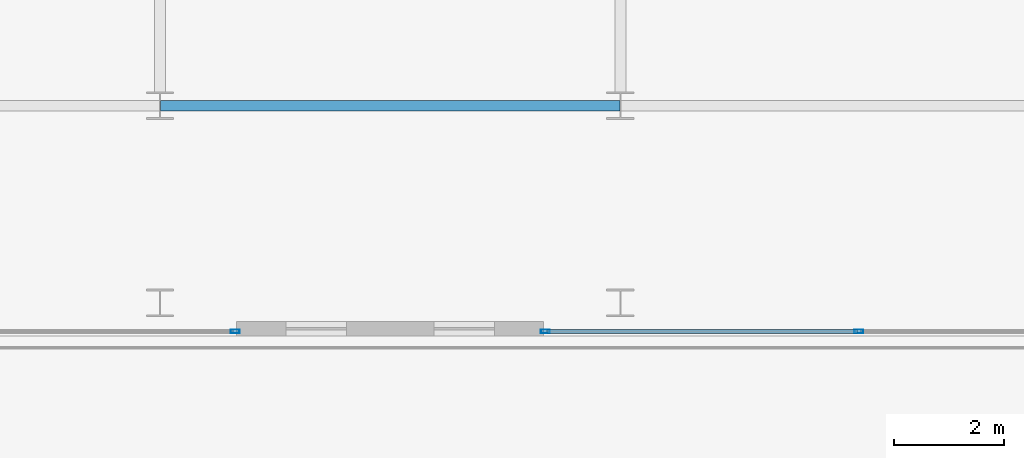
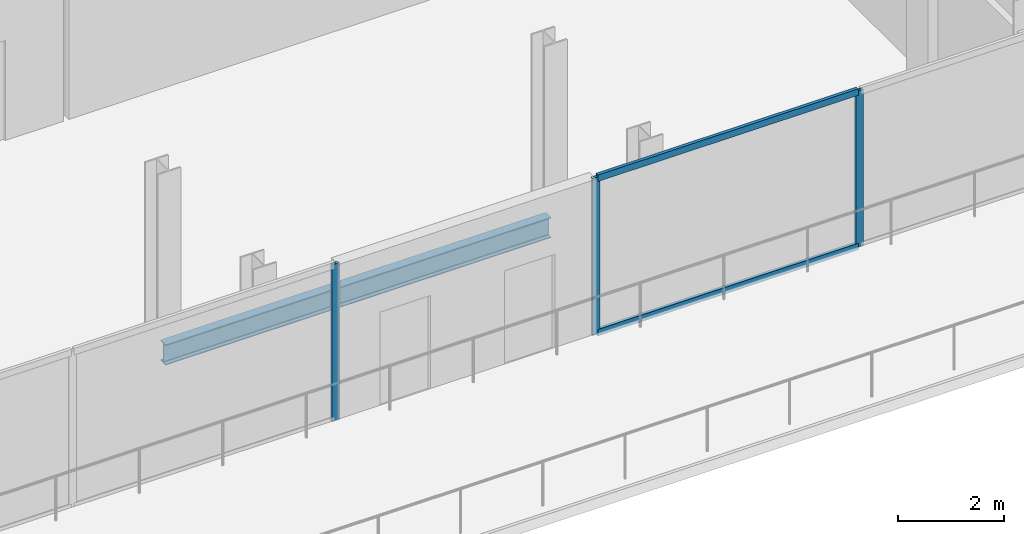
# One storey, part 5 of 21: 5 members, 1 beam, 2 elements without a shape of their own.
"""IFC4 building model written with IfcOpenShell, lengths in metres."""

from ifc_helpers import new_model, si_unit, direction, frame, origin, origin_2d, place, context, subcontext, project, spatial, hollow_rectangle, i_section, extrude, material, layer, layer_set, material_profile, profile_set, type_object, element, aggregate, save


model = new_model("IFC4")

# Units and contexts
model_context = context("Model", 3, precision=1e-05, world=origin(), true_north=direction((0.0, 1.0)))
body_context = subcontext(model_context, "Body", "Model", "MODEL_VIEW")
ifc_project = project(units=[si_unit("LENGTHUNIT", "METRE"), si_unit("AREAUNIT", "SQUARE_METRE"), si_unit("VOLUMEUNIT", "CUBIC_METRE"), si_unit("PLANEANGLEUNIT", "RADIAN"), si_unit("MASSUNIT", "GRAM", prefix="KILO")], contexts=[model_context])

# Site, building, storey
site_placement = place(None, origin())
site = spatial("IfcSite", under=ifc_project, at=site_placement, CompositionType="ELEMENT")
building_placement = place(site_placement, origin())
building = spatial("IfcBuilding", under=site, at=building_placement, Name="Maruvema Waterfront Hotel and Observation Tower", CompositionType="ELEMENT")
storey_placement = place(building_placement, frame((0.0, 0.0, 322.0)))
storey = spatial("IfcBuildingStorey", under=building, at=storey_placement, Name="L79", CompositionType="ELEMENT", Elevation=322.0)

# Curtain wall, members
ifc_material_1 = material(Name="Anodised bronze aluminium and solar-control low-E IGU", Category="aluminium")
ifc_layer = layer(ifc_material_1, 0.159912109375, Name="Zone 4 Sky Residence Inner Curtain Wall System CW-05")
ifc_layer_set = layer_set([ifc_layer], Name="Anodised bronze aluminium and solar-control low-E IGU")
curtain_wall_type = type_object("IfcCurtainWallType", Name="Zone 4 Sky Residence Inner Curtain Wall System CW-05", PredefinedType="USERDEFINED", material=ifc_layer_set)
curtain_wall_1_placement = place(storey_placement, origin())
curtain_wall_1 = element("IfcCurtainWall", 1, at=curtain_wall_1_placement, inside=storey, type_object=curtain_wall_type, Name="L79 Curtain Wall CW-L79-SE", ObjectType="UNITISED CURTAIN WALL", PredefinedType="USERDEFINED")
ifc_material_2 = material(Name="Anodised architectural bronze aluminium", Category="aluminium")
ifc_material_profile_1 = material_profile(ifc_material_2, hollow_rectangle(XDim=0.070068359375, YDim=0.14990234375, WallThickness=0.00390625, at=origin_2d()), Name="ALU-T70x150")
ifc_profile_set_1 = profile_set([ifc_material_profile_1], Name="Anodised architectural bronze aluminium")
member_type_1 = type_object("IfcMemberType", Name="Curtain Wall Horizontal Transom ALU-T70x150", PredefinedType="USERDEFINED", material=ifc_profile_set_1)
member_1_placement = place(storey_placement, frame((40.659912109375, 13.8798828125, 0.030029296875), z_axis=(1.0, 0.0, 0.0), x_axis=(0.0, 1.0, 0.0)))
member_1 = element("IfcMember", 2, at=member_1_placement, type_object=member_type_1, Name="CW-05 transom 1.1", ObjectType="TRANSOM", PredefinedType="USERDEFINED", context=body_context, shape_type="SweptSolid", body=[
    extrude(hollow_rectangle(XDim=0.070068359375, YDim=0.14990234375, WallThickness=0.00390625, at=origin_2d()), origin(), (0.0, 0.0, 1.0), 5.66015625),
])
member_2_placement = place(storey_placement, frame((40.659912109375, 13.8798828125, 3.580078125), z_axis=(1.0, 0.0, 0.0), x_axis=(0.0, 1.0, 0.0)))
member_2 = element("IfcMember", 3, at=member_2_placement, type_object=member_type_1, Name="CW-05 transom 1.2", ObjectType="TRANSOM", PredefinedType="USERDEFINED", context=body_context, shape_type="SweptSolid", body=[
    extrude(hollow_rectangle(XDim=0.070068359375, YDim=0.14990234375, WallThickness=0.00390625, at=origin_2d()), origin(), (0.0, 0.0, 1.0), 5.66015625),
])

# Curtain wall, member
curtain_wall_2_placement = place(storey_placement, origin())
curtain_wall_2 = element("IfcCurtainWall", 4, at=curtain_wall_2_placement, inside=storey, type_object=curtain_wall_type, Name="L79 Curtain Wall CW-L79-SW", ObjectType="UNITISED CURTAIN WALL", PredefinedType="USERDEFINED")
ifc_material_3 = material(Name="Anodised architectural bronze aluminium", Category="aluminium")
ifc_material_profile_2 = material_profile(ifc_material_3, hollow_rectangle(XDim=0.06494140625, YDim=0.1650390625, WallThickness=0.00390625, at=origin_2d()), Name="ALU-M65x165")
ifc_profile_set_2 = profile_set([ifc_material_profile_2], Name="Anodised architectural bronze aluminium")
member_type_2 = type_object("IfcMemberType", Name="Curtain Wall Primary Mullion ALU-M65x165", PredefinedType="MULLION", material=ifc_profile_set_2)
member_3_placement = place(storey_placement, frame((34.969970703125, 13.8798828125, 0.0), z_axis=(0.0, 0.0, 1.0), x_axis=(0.0, 1.0, 0.0)))
member_3 = element("IfcMember", 5, at=member_3_placement, type_object=member_type_2, Name="CW-05 mullion 3", PredefinedType="MULLION", context=body_context, shape_type="SweptSolid", body=[
    extrude(hollow_rectangle(XDim=0.06494140625, YDim=0.1650390625, WallThickness=0.00390625, at=origin_2d()), origin(), (0.0, 0.0, 1.0), 3.610107421875),
])
aggregate(curtain_wall_2, [member_3])

# Member
member_4_placement = place(storey_placement, frame((40.6298828125, 13.8798828125, 0.0), z_axis=(0.0, 0.0, 1.0), x_axis=(0.0, 1.0, 0.0)))
member_4 = element("IfcMember", 6, at=member_4_placement, type_object=member_type_2, Name="CW-05 mullion 1", PredefinedType="MULLION", context=body_context, shape_type="SweptSolid", body=[
    extrude(hollow_rectangle(XDim=0.06494140625, YDim=0.1650390625, WallThickness=0.00390625, at=origin_2d()), origin(), (0.0, 0.0, 1.0), 3.610107421875),
])

member_5_placement = place(storey_placement, frame((46.35009765625, 13.8798828125, 0.0), z_axis=(0.0, 0.0, 1.0), x_axis=(0.0, 1.0, 0.0)))
member_5 = element("IfcMember", 7, at=member_5_placement, type_object=member_type_2, Name="CW-05 mullion 2", PredefinedType="MULLION", context=body_context, shape_type="SweptSolid", body=[
    extrude(hollow_rectangle(XDim=0.06494140625, YDim=0.1650390625, WallThickness=0.00390625, at=origin_2d()), origin(), (0.0, 0.0, 1.0), 3.610107421875),
])

aggregate(curtain_wall_1, [member_4, member_5, member_1, member_2])

# Beam
ifc_material_4 = material(Name="Steel ASTM A572 Grade 50", Category="steel")
ifc_material_profile_3 = material_profile(ifc_material_4, i_section(OverallWidth=0.194091796875, OverallDepth=0.468994140625, WebThickness=0.0126953125, FlangeThickness=0.0205078125, FilletRadius=0.014892578125, at=origin_2d()), Name="W460x106.0")
ifc_profile_set_3 = profile_set([ifc_material_profile_3], Name="Steel ASTM A572 Grade 50")
beam_type = type_object("IfcBeamType", Name="Primary Floor Girder W460x106.0", PredefinedType="BEAM", material=ifc_profile_set_3)
beam_placement = place(storey_placement, frame((33.611083984375, 18.0, -0.474609375), z_axis=(1.0, 0.0, 0.0), x_axis=(0.0, 1.0, 0.0)))
element("IfcBeam", 8, at=beam_placement, inside=storey, type_object=beam_type, Name="L79 Floor Girder EW-02", PredefinedType="BEAM", context=body_context, shape_type="SweptSolid", body=[
    extrude(i_section(OverallWidth=0.194091796875, OverallDepth=0.468994140625, WebThickness=0.0126953125, FlangeThickness=0.0205078125, FilletRadius=0.014892578125, at=origin_2d()), origin(), (0.0, 0.0, 1.0), 8.3779296875),
])

save(model, "model.ifc")
